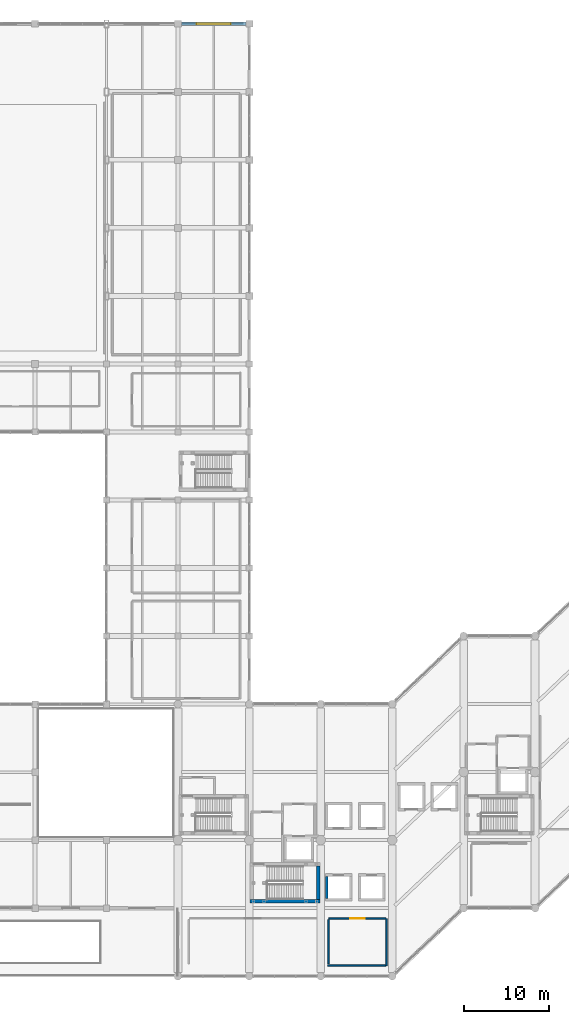
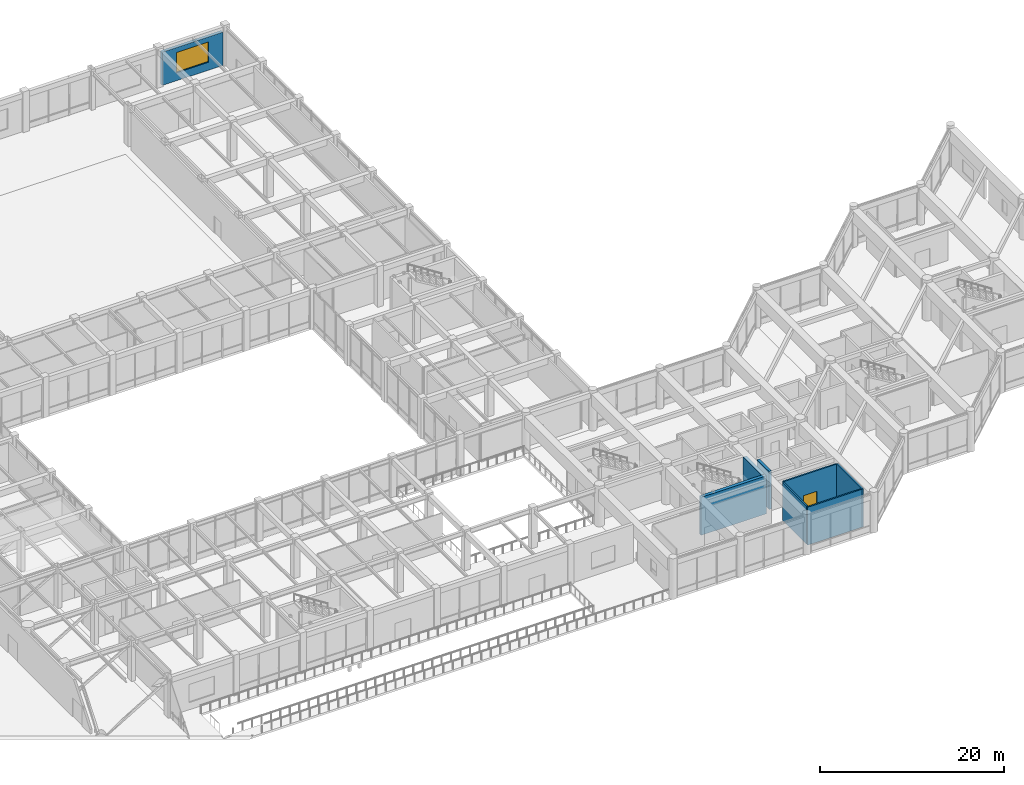
# One storey, part 62 of 79: 8 walls, 1 door, 1 window, 2 openings.
"""IFC4 building model written with IfcOpenShell, lengths in metres."""

import ifcopenshell
import ifcopenshell.guid

model = None  # the IFC model being written
_history = None  # IfcOwnerHistory: only IFC2X3 demands one
_inside = {}  # id of a spatial element -> (the spatial element, [elements in it])
_under = {}  # id of a project, library or spatial element -> (it, [spatial elements below it])
_declared = {}  # id of a project -> (the project, [libraries it declares])
_typed = {}  # id of a type object -> (the type object, [elements of that type])
_made_of = {}  # id of a material, layer set ... -> (it, [elements and type objects made of it])


def new_model(schema):
    """Start an empty IFC model of exactly this schema.

    Asked for "IFC4X3", IfcOpenShell would pick the latest addendum, in which some entities
    have other attributes; the version numbers below select the first issue.
    IFC2X3 requires an IfcOwnerHistory on every rooted entity: one is made here for all.
    """
    global model, _history
    if schema == "IFC4X3":
        model = ifcopenshell.file(schema_version=(4, 3, 0, 0))
    else:
        model = ifcopenshell.file(schema=schema)
    _inside.clear()
    _under.clear()
    _declared.clear()
    _typed.clear()
    _made_of.clear()
    _history = None
    if model.schema == "IFC2X3":
        org = make("IfcOrganization", Name="unknown")
        user = make(
            "IfcPersonAndOrganization",
            ThePerson=make("IfcPerson", FamilyName="unknown"),
            TheOrganization=org,
        )
        app = make(
            "IfcApplication",
            ApplicationDeveloper=org,
            Version="unknown",
            ApplicationFullName="unknown",
            ApplicationIdentifier="unknown",
        )
        _history = make(
            "IfcOwnerHistory",
            OwningUser=user,
            OwningApplication=app,
            ChangeAction="ADDED",
            CreationDate=0,
        )
    return model


def make(cls, **values):
    """One entity of the class cls with the attributes given. An attribute that is None is left unset."""
    return model.create_entity(
        cls, **{name: value for name, value in values.items() if value is not None}
    )


def rooted(cls, **values):
    """An entity with a GlobalId (a new one), such as an element, a storey or a relation."""
    return make(cls, GlobalId=ifcopenshell.guid.new(), OwnerHistory=_history, **values)


def si_unit(unit_type, name, prefix=None):
    """IfcSIUnit, for example si_unit("LENGTHUNIT", "METRE", prefix="MILLI")."""
    return make("IfcSIUnit", UnitType=unit_type, Prefix=prefix, Name=name)


def assignment(units):
    """IfcUnitAssignment: the units of a project."""
    return None if units is None else make("IfcUnitAssignment", Units=units)


def point(xyz):
    """IfcCartesianPoint."""
    return None if xyz is None else make("IfcCartesianPoint", Coordinates=xyz)


def direction(xyz):
    """IfcDirection."""
    return None if xyz is None else make("IfcDirection", DirectionRatios=xyz)


def frame(location, z_axis=None, x_axis=None):
    """IfcAxis2Placement3D, a coordinate frame: its origin and axes. An axis left out is left unset."""
    return make(
        "IfcAxis2Placement3D",
        Location=point(location),
        Axis=direction(z_axis),
        RefDirection=direction(x_axis),
    )


def frame_2d(location, x_axis=None):
    """IfcAxis2Placement2D, a coordinate frame in the plane: its origin and x axis."""
    return make(
        "IfcAxis2Placement2D", Location=point(location), RefDirection=direction(x_axis)
    )


def origin():
    """The frame at (0, 0, 0) with its axes left unset."""
    return frame((0.0, 0.0, 0.0))


def place(relative_to, where):
    """IfcLocalPlacement: puts the frame where relative to a parent placement (None: the world)."""
    return make(
        "IfcLocalPlacement", PlacementRelTo=relative_to, RelativePlacement=where
    )


def context(
    kind, dimensions, precision=None, world=None, true_north=None, identifier=None
):
    """IfcGeometricRepresentationContext, for example the 3D "Model" context."""
    return make(
        "IfcGeometricRepresentationContext",
        ContextIdentifier=identifier,
        ContextType=kind,
        CoordinateSpaceDimension=dimensions,
        Precision=precision,
        WorldCoordinateSystem=world,
        TrueNorth=true_north,
    )


def subcontext(parent, identifier, kind, view, scale=None):
    """IfcGeometricRepresentationSubContext, for example "Body" below "Model"."""
    return make(
        "IfcGeometricRepresentationSubContext",
        ContextIdentifier=identifier,
        ContextType=kind,
        ParentContext=parent,
        TargetScale=scale,
        TargetView=view,
    )


def project(units=None, contexts=None):
    """IfcProject with its units and contexts."""
    return rooted(
        "IfcProject",
        Name="project",
        RepresentationContexts=contexts,
        UnitsInContext=assignment(units),
    )


def spatial(cls, under=None, at=None, **own):
    """A site, building, storey or space (cls), placed at a placement, below another one or the project."""
    s = rooted(cls, ObjectPlacement=at, **own)
    if under is not None:
        _under.setdefault(under.id(), (under, []))[1].append(s)
    return s


def profile(cls, at=None, kind="AREA", **sizes):
    """A parametric profile (cls). Its sizes go by their IFC names, for example OverallWidth=200.0."""
    return make(cls, ProfileType=kind, Position=at, **sizes)


def rectangle(**sizes):
    """IfcRectangleProfileDef."""
    return profile("IfcRectangleProfileDef", **sizes)


def extrude(swept, where, along, depth):
    """IfcExtrudedAreaSolid: the profile swept, set in the frame where, extruded along a direction by depth."""
    return make(
        "IfcExtrudedAreaSolid",
        SweptArea=swept,
        Position=where,
        ExtrudedDirection=direction(along),
        Depth=depth,
    )


def shape(context_of_items, identifier, shape_type, items):
    """IfcShapeRepresentation: the items that make up one representation, for example the "Body"."""
    return make(
        "IfcShapeRepresentation",
        ContextOfItems=context_of_items,
        RepresentationIdentifier=identifier,
        RepresentationType=shape_type,
        Items=items,
    )


def material(Name=None, Category=None):
    """IfcMaterial."""
    return make("IfcMaterial", Name=Name, Category=Category)


def layer(
    of_material, thickness, ventilated=None, Name=None, Category=None, Priority=None
):
    """IfcMaterialLayer: one layer of a wall or slab, of a material (None: an air gap)."""
    return make(
        "IfcMaterialLayer",
        Material=of_material,
        LayerThickness=thickness,
        IsVentilated=ventilated,
        Name=Name,
        Category=Category,
        Priority=Priority,
    )


def layer_set(layers, Name=None):
    """IfcMaterialLayerSet."""
    return make("IfcMaterialLayerSet", MaterialLayers=layers, LayerSetName=Name)


def made_of(thing, what):
    """Note that an element or type object is made of a material, layer set ...; save() writes the relation."""
    if what is not None:
        _made_of.setdefault(what.id(), (what, []))[1].append(thing)
    return thing


def type_object(cls, material=None, **own):
    """A type object (cls), such as IfcWallType, which elements share."""
    return made_of(rooted(cls, **own), material)


def element(
    cls,
    number,
    at=None,
    inside=None,
    cuts=None,
    type_object=None,
    material=None,
    context=None,
    identifier="Body",
    shape_type=None,
    held_by="IfcProductDefinitionShape",
    body=None,
    shapes=None,
    **own,
):
    """One element of the class cls, such as IfcWall. Its Tag is "e" and its number.

    at: its placement. inside: the storey or other place that contains it. cuts: it is an
    opening in that element (IfcRelVoidsElement). A single representation is given by context,
    identifier, shape_type and body (its items); several are given by shapes. held_by: the class
    of the entity that holds the representations. save() writes the other relations.
    """
    e = rooted(cls, Tag="e%d" % number, ObjectPlacement=at, **own)
    if body is not None:
        shapes = [shape(context, identifier, shape_type, body)]
    if shapes is not None:
        e.Representation = make(held_by, Representations=shapes)
    if inside is not None:
        _inside.setdefault(inside.id(), (inside, []))[1].append(e)
    if cuts is not None:
        rooted(
            "IfcRelVoidsElement", RelatingBuildingElement=cuts, RelatedOpeningElement=e
        )
    if type_object is not None:
        _typed.setdefault(type_object.id(), (type_object, []))[1].append(e)
    return made_of(e, material)


def fill(opening, filler):
    """IfcRelFillsElement: the door or window that sits in an opening."""
    return rooted(
        "IfcRelFillsElement",
        RelatingOpeningElement=opening,
        RelatedBuildingElement=filler,
    )


def aggregate(whole, parts):
    """IfcRelAggregates: a whole, such as a stair, and the parts it consists of."""
    return rooted("IfcRelAggregates", RelatingObject=whole, RelatedObjects=parts)


def save(model, path):
    """Write the relations noted so far, then the file.

    IfcRelAggregates (storeys below a building ...), IfcRelContainedInSpatialStructure (elements
    in a storey), IfcRelDefinesByType, IfcRelAssociatesMaterial and IfcRelDeclares: one each for
    every whole, place, type object, material and project.
    """
    for whole, parts in _under.values():
        aggregate(whole, parts)
    for where, things in _inside.values():
        rooted(
            "IfcRelContainedInSpatialStructure",
            RelatedElements=things,
            RelatingStructure=where,
        )
    for kind, things in _typed.values():
        rooted("IfcRelDefinesByType", RelatedObjects=things, RelatingType=kind)
    for what, things in _made_of.values():
        rooted("IfcRelAssociatesMaterial", RelatedObjects=things, RelatingMaterial=what)
    for by, libraries in _declared.values():
        rooted("IfcRelDeclares", RelatingContext=by, RelatedDefinitions=libraries)
    model.write(path)


model = new_model("IFC4")

# Units and contexts
model_context = context("Model", 3, precision=1e-05, world=origin(), true_north=direction((0.0, 1.0)))
body_context = subcontext(model_context, "Body", "Model", "MODEL_VIEW")
ifc_project = project(units=[si_unit("LENGTHUNIT", "METRE"), si_unit("AREAUNIT", "SQUARE_METRE"), si_unit("VOLUMEUNIT", "CUBIC_METRE"), si_unit("PLANEANGLEUNIT", "RADIAN"), si_unit("MASSUNIT", "GRAM", prefix="KILO")], contexts=[model_context])

# Site, building, storey
site_placement = place(None, origin())
site = spatial("IfcSite", under=ifc_project, at=site_placement, CompositionType="ELEMENT")
building_placement = place(site_placement, origin())
building = spatial("IfcBuilding", under=site, at=building_placement, Name="Naruveol Harbour Congress Hotel", CompositionType="ELEMENT")
storey_placement = place(building_placement, frame((0.0, 0.0, 6.0)))
storey = spatial("IfcBuildingStorey", under=building, at=storey_placement, Name="L01", CompositionType="ELEMENT", Elevation=6.0)

# Wall, opening, door
ifc_material_1 = material(Name="Autoclaved Aerated Concrete Block", Category="concrete")
ifc_layer_1 = layer(ifc_material_1, 0.179931640625)
ifc_layer_set_1 = layer_set([ifc_layer_1], Name="Autoclaved Aerated Concrete Block")
wall_type_1 = type_object("IfcWallType", Name="ACOUSTIC HALL PARTITION WALL 180 EI60", PredefinedType="PARTITIONING", material=ifc_layer_set_1)
wall_1_placement = place(storey_placement, frame((135.360107421875, 6.800048828125, 0.0), z_axis=(0.0, 0.0, 1.0), x_axis=(1.0, 0.0, 0.0)))
wall_1 = element("IfcWall", 1, at=wall_1_placement, inside=storey, type_object=wall_type_1, Name="Executive Business Centre north entry wall PW-180", PredefinedType="PARTITIONING", context=body_context, shape_type="SweptSolid", body=[
    extrude(rectangle(XDim=6.679931640625, YDim=0.179931640625, at=frame_2d((3.33984375, 0.0))), origin(), (0.0, 0.0, 1.0), 5.044921875),
])
opening_1_placement = place(wall_1_placement, frame((2.489990234375, 0.0, 0.0)))
opening_1 = element("IfcOpeningElement", 2, at=opening_1_placement, cuts=wall_1, Name="Opening ID-MT-53", PredefinedType="OPENING", context=body_context, shape_type="SweptSolid", body=[
    extrude(rectangle(XDim=1.699951171875, YDim=2.300048828125, at=frame_2d((0.85009765625, 1.14990234375))), frame((0.0, 0.099853515625, 0.0), z_axis=(0.0, -1.0, 0.0), x_axis=(1.0, 0.0, 0.0)), (0.0, 0.0, 1.0), 0.199951171875),
])
ifc_material_2 = material(Name="Timber & Steel Acoustic Leaf", Category="steel")
door_type = type_object("IfcDoorType", Name="MEETING SALON DOUBLE DOOR 1700X2300", OperationType="DOUBLE_DOOR_SINGLE_SWING", PredefinedType="DOOR", material=ifc_material_2)
door_placement = place(opening_1_placement, origin())
door = element("IfcDoor", 3, at=door_placement, inside=storey, type_object=door_type, Name="Executive Business Centre Entrance Door", OperationType="DOUBLE_DOOR_SINGLE_SWING", OverallHeight=2.300048828125, OverallWidth=1.699951171875, PredefinedType="DOOR", context=body_context, shape_type="SweptSolid", body=[
    extrude(rectangle(XDim=1.699951171875, YDim=2.300048828125, at=frame_2d((0.85009765625, 1.14990234375))), frame((0.0, 0.02490234375, 0.0), z_axis=(0.0, -1.0, 0.0), x_axis=(1.0, 0.0, 0.0)), (0.0, 0.0, 1.0), 0.050048828125),
])
fill(opening_1, door)

# Walls
wall_2_placement = place(storey_placement, frame((135.280029296875, 1.449951171875, 0.0), z_axis=(0.0, 0.0, 1.0), x_axis=(0.0, 1.0, 0.0)))
element("IfcWall", 4, at=wall_2_placement, inside=storey, type_object=wall_type_1, Name="Executive Business Centre west partition PW-180", PredefinedType="PARTITIONING", context=body_context, shape_type="SweptSolid", body=[
    extrude(rectangle(XDim=5.2099609375, YDim=0.179931640625, at=frame_2d((2.60498046875, 0.0))), origin(), (0.0, 0.0, 1.0), 5.044921875),
])
wall_3_placement = place(storey_placement, frame((142.1201171875, 1.199951171875, 0.0), z_axis=(0.0, 0.0, 1.0), x_axis=(0.0, 1.0, 0.0)))
element("IfcWall", 5, at=wall_3_placement, inside=storey, type_object=wall_type_1, Name="Executive Business Centre east enclosure partition PW-180", PredefinedType="PARTITIONING", context=body_context, shape_type="SweptSolid", body=[
    extrude(rectangle(XDim=5.568115234375, YDim=0.179931640625, at=frame_2d((2.7841796875, 0.0))), origin(), (0.0, 0.0, 1.0), 5.044921875),
])
wall_4_placement = place(storey_placement, frame((135.199951171875, 1.280029296875, 0.0), z_axis=(0.0, 0.0, 1.0), x_axis=(1.0, 0.0, 0.0)))
element("IfcWall", 6, at=wall_4_placement, inside=storey, type_object=wall_type_1, Name="Executive Business Centre south enclosure partition PW-180", PredefinedType="PARTITIONING", context=body_context, shape_type="SweptSolid", body=[
    extrude(rectangle(XDim=6.830078125, YDim=0.179931640625, at=frame_2d((3.4150390625, 0.0))), origin(), (0.0, 0.0, 1.0), 5.044921875),
])

# Wall, opening, window
ifc_material_3 = material(Name="Concrete C40/50", Category="concrete")
ifc_layer_2 = layer(ifc_material_3, 0.3798828125)
ifc_layer_set_2 = layer_set([ifc_layer_2], Name="Concrete C40/50")
wall_type_2 = type_object("IfcWallType", Name="INSULATED GRANITE FACADE WALL 380", PredefinedType="SOLIDWALL", material=ifc_layer_set_2)
wall_5_placement = place(storey_placement, frame((118.0, 112.0, 0.0), z_axis=(0.0, 0.0, 1.0), x_axis=(1.0, 0.0, 0.0)))
wall_5 = element("IfcWall", 7, at=wall_5_placement, inside=storey, type_object=wall_type_2, Name="Ballroom north facade EW-380", PredefinedType="SOLIDWALL", context=body_context, shape_type="SweptSolid", body=[
    extrude(rectangle(XDim=7.60009765625, YDim=0.3798828125, at=frame_2d((3.800048828125, 0.0))), origin(), (0.0, 0.0, 1.0), 4.419921875),
])
opening_2_placement = place(wall_5_placement, frame((1.800048828125, 0.0, 1.050048828125)))
opening_2 = element("IfcOpeningElement", 8, at=opening_2_placement, cuts=wall_5, Name="Opening W-13", PredefinedType="OPENING", context=body_context, shape_type="SweptSolid", body=[
    extrude(rectangle(XDim=4.0, YDim=2.699951171875, at=frame_2d((2.0, 1.35009765625))), frame((0.0, 0.199951171875, 0.0), z_axis=(0.0, -1.0, 0.0), x_axis=(1.0, 0.0, 0.0)), (0.0, 0.0, 1.0), 0.39990234375),
])
ifc_material_4 = material(Name="Low-E Triple Glazing in Thermal Aluminium", Category="aluminium")
window_type = type_object("IfcWindowType", Name="BALLROOM GALLERY WINDOW 4000X2700", PartitioningType="DOUBLE_PANEL_VERTICAL", PredefinedType="WINDOW", material=ifc_material_4)
window_placement = place(opening_2_placement, origin())
window = element("IfcWindow", 9, at=window_placement, inside=storey, type_object=window_type, Name="Window W-13 #119", OverallHeight=2.699951171875, OverallWidth=4.0, PartitioningType="DOUBLE_PANEL_VERTICAL", PredefinedType="WINDOW", context=body_context, shape_type="SweptSolid", body=[
    extrude(rectangle(XDim=4.0, YDim=2.699951171875, at=frame_2d((2.0, 1.35009765625))), frame((0.0, 0.030029296875, 0.0), z_axis=(0.0, -1.0, 0.0), x_axis=(1.0, 0.0, 0.0)), (0.0, 0.0, 1.0), 0.06005859375),
])
fill(opening_2, window)

# Walls
ifc_material_5 = material(Name="Concrete C50/60", Category="concrete")
ifc_layer_3 = layer(ifc_material_5, 0.39990234375)
ifc_layer_set_3 = layer_set([ifc_layer_3], Name="Concrete C50/60")
wall_type_3 = type_object("IfcWallType", Name="RC CORE SHEAR WALL 400 EI120", PredefinedType="SHEAR", material=ifc_layer_set_3)
wall_6_placement = place(storey_placement, frame((126.10009765625, 8.800048828125, 0.0), z_axis=(0.0, 0.0, 1.0), x_axis=(1.0, 0.0, 0.0)))
element("IfcWall", 10, at=wall_6_placement, inside=storey, type_object=wall_type_3, Name="Stair ST1 south core wall CW-400", PredefinedType="SHEAR", context=body_context, shape_type="SweptSolid", body=[
    extrude(rectangle(XDim=8.199951171875, YDim=0.39990234375, at=frame_2d((4.10009765625, 0.0))), origin(), (0.0, 0.0, 1.0), 5.044921875),
])
wall_7_placement = place(storey_placement, frame((134.10009765625, 9.0048828125, 0.0), z_axis=(0.0, 0.0, 1.0), x_axis=(0.0, 1.0, 0.0)))
element("IfcWall", 11, at=wall_7_placement, inside=storey, type_object=wall_type_3, Name="Stair ST1 east core wall CW-400", PredefinedType="SHEAR", context=body_context, shape_type="SweptSolid", body=[
    extrude(rectangle(XDim=3.9501953125, YDim=0.39990234375, at=frame_2d((1.97509765625, 0.0))), origin(), (0.0, 0.0, 1.0), 5.044921875),
])
ifc_material_6 = material(Name="Concrete C50/60", Category="concrete")
ifc_layer_4 = layer(ifc_material_6, 0.300048828125)
ifc_layer_set_4 = layer_set([ifc_layer_4], Name="Concrete C50/60")
wall_type_4 = type_object("IfcWallType", Name="RC STAIR AND HOISTWAY SHEAR WALL 300 EI120", PredefinedType="SHEAR", material=ifc_layer_set_4)
wall_8_placement = place(storey_placement, frame((135.10009765625, 11.7451171875, 0.0), z_axis=(0.0, 0.0, 1.0), x_axis=(0.0, -1.0, 0.0)))
element("IfcWall", 12, at=wall_8_placement, inside=storey, type_object=wall_type_4, Name="Hoistway west shear wall PL3 SW-300", PredefinedType="SHEAR", context=body_context, shape_type="SweptSolid", body=[
    extrude(rectangle(XDim=2.590087890625, YDim=0.300048828125, at=frame_2d((1.294921875, 0.0))), origin(), (0.0, 0.0, 1.0), 5.044921875),
])

save(model, "model.ifc")
